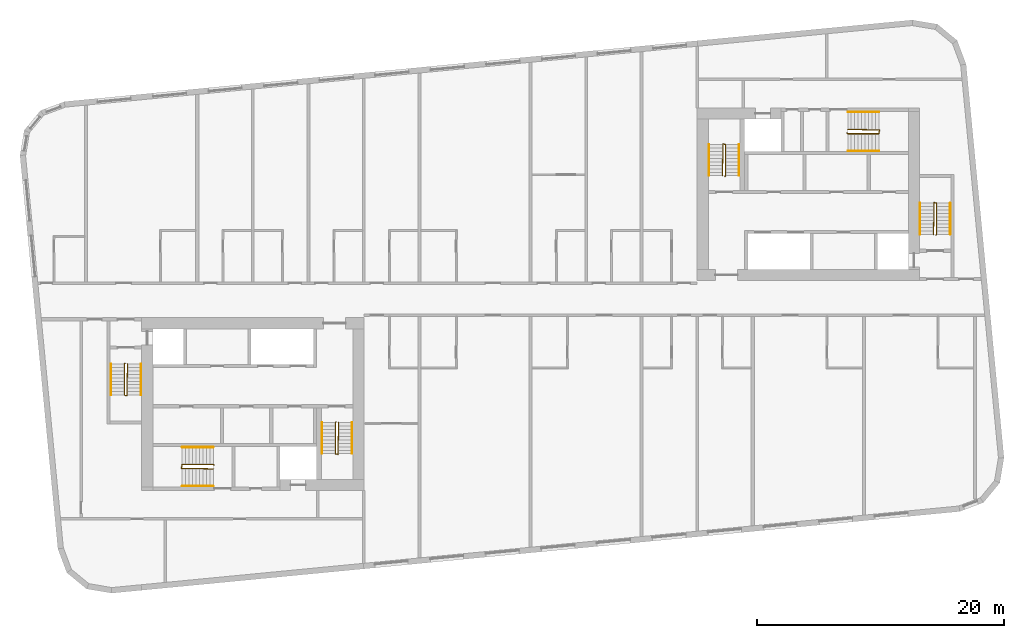
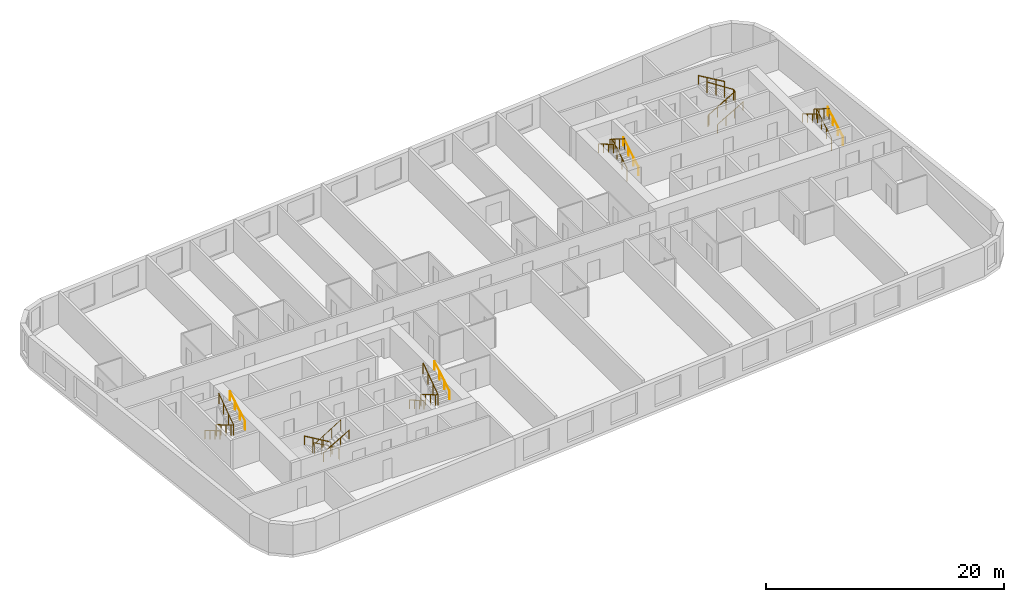
# One storey, part 11 of 11: 18 railings.
"""IFC4 building model written with IfcOpenShell, lengths in metres."""

from ifc_helpers import new_model, si_unit, direction, frame, origin, origin_2d, place, context, subcontext, project, spatial, circle, extrude, material, type_object, element, save


model = new_model("IFC4")

# Units and contexts
model_context = context("Model", 3, precision=1e-05, world=origin(), true_north=direction((0.0, 1.0)))
body_context = subcontext(model_context, "Body", "Model", "MODEL_VIEW")
ifc_project = project(units=[si_unit("LENGTHUNIT", "METRE"), si_unit("AREAUNIT", "SQUARE_METRE"), si_unit("VOLUMEUNIT", "CUBIC_METRE"), si_unit("PLANEANGLEUNIT", "RADIAN"), si_unit("MASSUNIT", "GRAM", prefix="KILO")], contexts=[model_context])

# Site, building, storey
site_placement = place(None, origin())
site = spatial("IfcSite", under=ifc_project, at=site_placement, CompositionType="ELEMENT")
building_placement = place(site_placement, origin())
building = spatial("IfcBuilding", under=site, at=building_placement, Name="Kajstack Hotel Tower", CompositionType="ELEMENT")
storey_placement = place(building_placement, frame((0.0, 0.0, 291.60009765625)))
storey = spatial("IfcBuildingStorey", under=building, at=storey_placement, Name="L73", CompositionType="ELEMENT", Elevation=291.60009765625)

# Railings
ifc_material = material(Name="Steel S355J2", Category="steel")
railing_type_1 = type_object("IfcRailingType", Name="Stair guard 1100", PredefinedType="GUARDRAIL", material=ifc_material)
railing_1_placement = place(storey_placement, frame((-32.85009765625, -5.199951171875, 0.0)))
element("IfcRailing", 1, at=railing_1_placement, inside=storey, type_object=railing_type_1, Name="L73 W1 stair guard 1", PredefinedType="GUARDRAIL", context=body_context, shape_type="SweptSolid", body=[
    extrude(circle(Radius=0.02392578125, at=origin_2d()), frame((0.0, 0.0, 1.076171875), z_axis=(-0.277797701265, -0.279159454702, 0.919183570361), x_axis=(0.708833529934, -0.705375805398, 0.0)), (0.0, 0.0, 1.0), 0.17919921875),
    extrude(circle(Radius=0.02392578125, at=origin_2d()), frame((-0.0498046875, -0.050048828125, 1.24072265625), z_axis=(0.0, -0.86152411907, 0.507716645641), x_axis=(1.0, 0.0, 0.0)), (0.0, 0.0, 1.0), 2.925048828125),
    extrude(circle(Radius=0.02392578125, at=origin_2d()), frame((-0.0498046875, -2.570068359375, 2.72607421875), z_axis=(0.970072785993, -0.242814311512, 0.0), x_axis=(0.242814311512, 0.970072785993, 0.0)), (0.0, 0.0, 1.0), 0.2060546875),
    extrude(circle(Radius=0.02392578125, at=origin_2d()), frame((0.150146484375, -2.6201171875, 2.72607421875), z_axis=(0.016385308676, 0.841405582595, 0.540155687962), x_axis=(-0.999810440751, 0.019470042781, 0.0)), (0.0, 0.0, 1.0), 3.054443359375),
    extrude(circle(Radius=0.02099609375, at=origin_2d()), origin(), (0.0, 0.0, 1.0), 1.052001953125),
    extrude(circle(Radius=0.02099609375, at=origin_2d()), frame((-0.0498046875, -0.050048828125, 0.164794921875)), (0.0, 0.0, 1.0), 1.052001953125),
    extrude(circle(Radius=0.02099609375, at=origin_2d()), frame((-0.0498046875, -0.89013671875, 0.659912109375)), (0.0, 0.0, 1.0), 1.052001953125),
    extrude(circle(Radius=0.02099609375, at=origin_2d()), frame((-0.0498046875, -1.72998046875, 1.15478515625)), (0.0, 0.0, 1.0), 1.052001953125),
    extrude(circle(Radius=0.02099609375, at=origin_2d()), frame((-0.0498046875, -2.570068359375, 1.64990234375)), (0.0, 0.0, 1.0), 1.052001953125),
    extrude(circle(Radius=0.02099609375, at=origin_2d()), frame((0.150146484375, -2.6201171875, 1.64990234375)), (0.0, 0.0, 1.0), 1.052001953125),
    extrude(circle(Radius=0.02099609375, at=origin_2d()), frame((0.166748046875, -1.763427734375, 2.199951171875)), (0.0, 0.0, 1.0), 1.052001953125),
    extrude(circle(Radius=0.02099609375, at=origin_2d()), frame((0.18359375, -0.90673828125, 2.749755859375)), (0.0, 0.0, 1.0), 1.052001953125),
    extrude(circle(Radius=0.02099609375, at=origin_2d()), frame((0.2001953125, -0.050048828125, 3.2998046875)), (0.0, 0.0, 1.0), 1.052001953125),
])
railing_2_placement = place(storey_placement, frame((-15.75, -9.949951171875, 0.0)))
element("IfcRailing", 2, at=railing_2_placement, inside=storey, type_object=railing_type_1, Name="L73 W2 stair guard 1", PredefinedType="GUARDRAIL", context=body_context, shape_type="SweptSolid", body=[
    extrude(circle(Radius=0.02392578125, at=origin_2d()), frame((0.0, 0.0, 1.076171875), z_axis=(-0.279053652268, -0.279053652268, 0.918835196492), x_axis=(0.707106781187, -0.707106781187, 0.0)), (0.0, 0.0, 1.0), 0.179443359375),
    extrude(circle(Radius=0.02392578125, at=origin_2d()), frame((-0.050048828125, -0.050048828125, 1.24072265625), z_axis=(0.0, -0.86152411907, 0.507716645641), x_axis=(1.0, 0.0, 0.0)), (0.0, 0.0, 1.0), 2.925048828125),
    extrude(circle(Radius=0.02392578125, at=origin_2d()), frame((-0.050048828125, -2.570068359375, 2.72607421875), z_axis=(0.970072785993, -0.242814311512, 0.0), x_axis=(0.242814311512, 0.970072785993, 0.0)), (0.0, 0.0, 1.0), 0.2060546875),
    extrude(circle(Radius=0.02392578125, at=origin_2d()), frame((0.14990234375, -2.6201171875, 2.72607421875), z_axis=(0.016385308676, 0.841405582595, 0.540155687962), x_axis=(-0.999810440751, 0.019470042781, 0.0)), (0.0, 0.0, 1.0), 3.054443359375),
    extrude(circle(Radius=0.02099609375, at=origin_2d()), origin(), (0.0, 0.0, 1.0), 1.052001953125),
    extrude(circle(Radius=0.02099609375, at=origin_2d()), frame((-0.050048828125, -0.050048828125, 0.164794921875)), (0.0, 0.0, 1.0), 1.052001953125),
    extrude(circle(Radius=0.02099609375, at=origin_2d()), frame((-0.050048828125, -0.89013671875, 0.659912109375)), (0.0, 0.0, 1.0), 1.052001953125),
    extrude(circle(Radius=0.02099609375, at=origin_2d()), frame((-0.050048828125, -1.72998046875, 1.15478515625)), (0.0, 0.0, 1.0), 1.052001953125),
    extrude(circle(Radius=0.02099609375, at=origin_2d()), frame((-0.050048828125, -2.570068359375, 1.64990234375)), (0.0, 0.0, 1.0), 1.052001953125),
    extrude(circle(Radius=0.02099609375, at=origin_2d()), frame((0.14990234375, -2.6201171875, 1.64990234375)), (0.0, 0.0, 1.0), 1.052001953125),
    extrude(circle(Radius=0.02099609375, at=origin_2d()), frame((0.16650390625, -1.763427734375, 2.199951171875)), (0.0, 0.0, 1.0), 1.052001953125),
    extrude(circle(Radius=0.02099609375, at=origin_2d()), frame((0.183349609375, -0.90673828125, 2.749755859375)), (0.0, 0.0, 1.0), 1.052001953125),
    extrude(circle(Radius=0.02099609375, at=origin_2d()), frame((0.199951171875, -0.050048828125, 3.2998046875)), (0.0, 0.0, 1.0), 1.052001953125),
])
railing_3_placement = place(storey_placement, frame((-25.64990234375, -13.449951171875, 0.0)))
element("IfcRailing", 3, at=railing_3_placement, inside=storey, type_object=railing_type_1, Name="L73 W3 stair guard 1", PredefinedType="GUARDRAIL", context=body_context, shape_type="SweptSolid", body=[
    extrude(circle(Radius=0.02392578125, at=origin_2d()), frame((0.0, 0.0, 1.076171875), z_axis=(-0.279053652268, 0.279053652268, 0.918835196492), x_axis=(-0.707106781187, -0.707106781187, 0.0)), (0.0, 0.0, 1.0), 0.179443359375),
    extrude(circle(Radius=0.02392578125, at=origin_2d()), frame((-0.050048828125, 0.050048828125, 1.24072265625), z_axis=(-0.86152411907, 0.0, 0.507716645641), x_axis=(0.0, -1.0, 0.0)), (0.0, 0.0, 1.0), 2.925048828125),
    extrude(circle(Radius=0.02392578125, at=origin_2d()), frame((-2.570068359375, 0.050048828125, 2.72607421875), z_axis=(-0.164529134168, -0.986372223864, 0.0), x_axis=(0.986372223864, -0.164529134168, 0.0)), (0.0, 0.0, 1.0), 0.30419921875),
    extrude(circle(Radius=0.02392578125, at=origin_2d()), frame((-2.6201171875, -0.25, 2.72607421875), z_axis=(0.841405582595, -0.016385308676, 0.540155687962), x_axis=(0.019470042781, 0.999810440751, 0.0)), (0.0, 0.0, 1.0), 3.054443359375),
    extrude(circle(Radius=0.02099609375, at=origin_2d()), origin(), (0.0, 0.0, 1.0), 1.052001953125),
    extrude(circle(Radius=0.02099609375, at=origin_2d()), frame((-0.050048828125, 0.050048828125, 0.164794921875)), (0.0, 0.0, 1.0), 1.052001953125),
    extrude(circle(Radius=0.02099609375, at=origin_2d()), frame((-0.89013671875, 0.050048828125, 0.659912109375)), (0.0, 0.0, 1.0), 1.052001953125),
    extrude(circle(Radius=0.02099609375, at=origin_2d()), frame((-1.72998046875, 0.050048828125, 1.15478515625)), (0.0, 0.0, 1.0), 1.052001953125),
    extrude(circle(Radius=0.02099609375, at=origin_2d()), frame((-2.570068359375, 0.050048828125, 1.64990234375)), (0.0, 0.0, 1.0), 1.052001953125),
    extrude(circle(Radius=0.02099609375, at=origin_2d()), frame((-2.6201171875, -0.25, 1.64990234375)), (0.0, 0.0, 1.0), 1.052001953125),
    extrude(circle(Radius=0.02099609375, at=origin_2d()), frame((-1.763427734375, -0.2666015625, 2.199951171875)), (0.0, 0.0, 1.0), 1.052001953125),
    extrude(circle(Radius=0.02099609375, at=origin_2d()), frame((-0.90673828125, -0.283447265625, 2.749755859375)), (0.0, 0.0, 1.0), 1.052001953125),
    extrude(circle(Radius=0.02099609375, at=origin_2d()), frame((-0.050048828125, -0.300048828125, 3.2998046875)), (0.0, 0.0, 1.0), 1.052001953125),
])
railing_4_placement = place(storey_placement, frame((32.85009765625, 5.199951171875, 0.0)))
element("IfcRailing", 4, at=railing_4_placement, inside=storey, type_object=railing_type_1, Name="L73 E1 stair guard 1", PredefinedType="GUARDRAIL", context=body_context, shape_type="SweptSolid", body=[
    extrude(circle(Radius=0.02392578125, at=origin_2d()), frame((0.0, 0.0, 1.076171875), z_axis=(0.277797701265, 0.279159454702, 0.919183570361), x_axis=(-0.708833529934, 0.705375805398, 0.0)), (0.0, 0.0, 1.0), 0.17919921875),
    extrude(circle(Radius=0.02392578125, at=origin_2d()), frame((0.0498046875, 0.050048828125, 1.24072265625), z_axis=(0.0, 0.86152411907, 0.507716645641), x_axis=(-1.0, 0.0, 0.0)), (0.0, 0.0, 1.0), 2.925048828125),
    extrude(circle(Radius=0.02392578125, at=origin_2d()), frame((0.0498046875, 2.570068359375, 2.72607421875), z_axis=(-0.970072785993, 0.242814311512, 0.0), x_axis=(-0.242814311512, -0.970072785993, 0.0)), (0.0, 0.0, 1.0), 0.2060546875),
    extrude(circle(Radius=0.02392578125, at=origin_2d()), frame((-0.150146484375, 2.6201171875, 2.72607421875), z_axis=(-0.016385308676, -0.841405582595, 0.540155687962), x_axis=(0.999810440751, -0.019470042781, 0.0)), (0.0, 0.0, 1.0), 3.054443359375),
    extrude(circle(Radius=0.02099609375, at=origin_2d()), origin(), (0.0, 0.0, 1.0), 1.052001953125),
    extrude(circle(Radius=0.02099609375, at=origin_2d()), frame((0.0498046875, 0.050048828125, 0.164794921875)), (0.0, 0.0, 1.0), 1.052001953125),
    extrude(circle(Radius=0.02099609375, at=origin_2d()), frame((0.0498046875, 0.89013671875, 0.659912109375)), (0.0, 0.0, 1.0), 1.052001953125),
    extrude(circle(Radius=0.02099609375, at=origin_2d()), frame((0.0498046875, 1.72998046875, 1.15478515625)), (0.0, 0.0, 1.0), 1.052001953125),
    extrude(circle(Radius=0.02099609375, at=origin_2d()), frame((0.0498046875, 2.570068359375, 1.64990234375)), (0.0, 0.0, 1.0), 1.052001953125),
    extrude(circle(Radius=0.02099609375, at=origin_2d()), frame((-0.150146484375, 2.6201171875, 1.64990234375)), (0.0, 0.0, 1.0), 1.052001953125),
    extrude(circle(Radius=0.02099609375, at=origin_2d()), frame((-0.166748046875, 1.763427734375, 2.199951171875)), (0.0, 0.0, 1.0), 1.052001953125),
    extrude(circle(Radius=0.02099609375, at=origin_2d()), frame((-0.18359375, 0.90673828125, 2.749755859375)), (0.0, 0.0, 1.0), 1.052001953125),
    extrude(circle(Radius=0.02099609375, at=origin_2d()), frame((-0.2001953125, 0.050048828125, 3.2998046875)), (0.0, 0.0, 1.0), 1.052001953125),
])
railing_5_placement = place(storey_placement, frame((15.75, 9.949951171875, 0.0)))
element("IfcRailing", 5, at=railing_5_placement, inside=storey, type_object=railing_type_1, Name="L73 E2 stair guard 1", PredefinedType="GUARDRAIL", context=body_context, shape_type="SweptSolid", body=[
    extrude(circle(Radius=0.02392578125, at=origin_2d()), frame((0.0, 0.0, 1.076171875), z_axis=(0.279053652268, 0.279053652268, 0.918835196492), x_axis=(-0.707106781187, 0.707106781187, 0.0)), (0.0, 0.0, 1.0), 0.179443359375),
    extrude(circle(Radius=0.02392578125, at=origin_2d()), frame((0.050048828125, 0.050048828125, 1.24072265625), z_axis=(0.0, 0.86152411907, 0.507716645641), x_axis=(-1.0, 0.0, 0.0)), (0.0, 0.0, 1.0), 2.925048828125),
    extrude(circle(Radius=0.02392578125, at=origin_2d()), frame((0.050048828125, 2.570068359375, 2.72607421875), z_axis=(-0.970072785993, 0.242814311512, 0.0), x_axis=(-0.242814311512, -0.970072785993, 0.0)), (0.0, 0.0, 1.0), 0.2060546875),
    extrude(circle(Radius=0.02392578125, at=origin_2d()), frame((-0.14990234375, 2.6201171875, 2.72607421875), z_axis=(-0.016385308676, -0.841405582595, 0.540155687962), x_axis=(0.999810440751, -0.019470042781, 0.0)), (0.0, 0.0, 1.0), 3.054443359375),
    extrude(circle(Radius=0.02099609375, at=origin_2d()), origin(), (0.0, 0.0, 1.0), 1.052001953125),
    extrude(circle(Radius=0.02099609375, at=origin_2d()), frame((0.050048828125, 0.050048828125, 0.164794921875)), (0.0, 0.0, 1.0), 1.052001953125),
    extrude(circle(Radius=0.02099609375, at=origin_2d()), frame((0.050048828125, 0.89013671875, 0.659912109375)), (0.0, 0.0, 1.0), 1.052001953125),
    extrude(circle(Radius=0.02099609375, at=origin_2d()), frame((0.050048828125, 1.72998046875, 1.15478515625)), (0.0, 0.0, 1.0), 1.052001953125),
    extrude(circle(Radius=0.02099609375, at=origin_2d()), frame((0.050048828125, 2.570068359375, 1.64990234375)), (0.0, 0.0, 1.0), 1.052001953125),
    extrude(circle(Radius=0.02099609375, at=origin_2d()), frame((-0.14990234375, 2.6201171875, 1.64990234375)), (0.0, 0.0, 1.0), 1.052001953125),
    extrude(circle(Radius=0.02099609375, at=origin_2d()), frame((-0.16650390625, 1.763427734375, 2.199951171875)), (0.0, 0.0, 1.0), 1.052001953125),
    extrude(circle(Radius=0.02099609375, at=origin_2d()), frame((-0.183349609375, 0.90673828125, 2.749755859375)), (0.0, 0.0, 1.0), 1.052001953125),
    extrude(circle(Radius=0.02099609375, at=origin_2d()), frame((-0.199951171875, 0.050048828125, 3.2998046875)), (0.0, 0.0, 1.0), 1.052001953125),
])
railing_6_placement = place(storey_placement, frame((25.64990234375, 13.449951171875, 0.0)))
element("IfcRailing", 6, at=railing_6_placement, inside=storey, type_object=railing_type_1, Name="L73 E3 stair guard 1", PredefinedType="GUARDRAIL", context=body_context, shape_type="SweptSolid", body=[
    extrude(circle(Radius=0.02392578125, at=origin_2d()), frame((0.0, 0.0, 1.076171875), z_axis=(0.279053652268, -0.279053652268, 0.918835196492), x_axis=(0.707106781187, 0.707106781187, 0.0)), (0.0, 0.0, 1.0), 0.179443359375),
    extrude(circle(Radius=0.02392578125, at=origin_2d()), frame((0.050048828125, -0.050048828125, 1.24072265625), z_axis=(0.86152411907, 0.0, 0.507716645641), x_axis=(0.0, 1.0, 0.0)), (0.0, 0.0, 1.0), 2.925048828125),
    extrude(circle(Radius=0.02392578125, at=origin_2d()), frame((2.570068359375, -0.050048828125, 2.72607421875), z_axis=(0.164529134168, 0.986372223864, 0.0), x_axis=(-0.986372223864, 0.164529134168, 0.0)), (0.0, 0.0, 1.0), 0.30419921875),
    extrude(circle(Radius=0.02392578125, at=origin_2d()), frame((2.6201171875, 0.25, 2.72607421875), z_axis=(-0.841405582595, 0.016385308676, 0.540155687962), x_axis=(-0.019470042781, -0.999810440751, 0.0)), (0.0, 0.0, 1.0), 3.054443359375),
    extrude(circle(Radius=0.02099609375, at=origin_2d()), origin(), (0.0, 0.0, 1.0), 1.052001953125),
    extrude(circle(Radius=0.02099609375, at=origin_2d()), frame((0.050048828125, -0.050048828125, 0.164794921875)), (0.0, 0.0, 1.0), 1.052001953125),
    extrude(circle(Radius=0.02099609375, at=origin_2d()), frame((0.89013671875, -0.050048828125, 0.659912109375)), (0.0, 0.0, 1.0), 1.052001953125),
    extrude(circle(Radius=0.02099609375, at=origin_2d()), frame((1.72998046875, -0.050048828125, 1.15478515625)), (0.0, 0.0, 1.0), 1.052001953125),
    extrude(circle(Radius=0.02099609375, at=origin_2d()), frame((2.570068359375, -0.050048828125, 1.64990234375)), (0.0, 0.0, 1.0), 1.052001953125),
    extrude(circle(Radius=0.02099609375, at=origin_2d()), frame((2.6201171875, 0.25, 1.64990234375)), (0.0, 0.0, 1.0), 1.052001953125),
    extrude(circle(Radius=0.02099609375, at=origin_2d()), frame((1.763427734375, 0.2666015625, 2.199951171875)), (0.0, 0.0, 1.0), 1.052001953125),
    extrude(circle(Radius=0.02099609375, at=origin_2d()), frame((0.90673828125, 0.283447265625, 2.749755859375)), (0.0, 0.0, 1.0), 1.052001953125),
    extrude(circle(Radius=0.02099609375, at=origin_2d()), frame((0.050048828125, 0.300048828125, 3.2998046875)), (0.0, 0.0, 1.0), 1.052001953125),
])
railing_type_2 = type_object("IfcRailingType", Name="Stair handrail 900", PredefinedType="HANDRAIL", material=ifc_material)
railing_7_placement = place(storey_placement, frame((-34.0, -5.25, 0.164794921875)))
element("IfcRailing", 7, at=railing_7_placement, inside=storey, type_object=railing_type_2, Name="L73 W1 stair handrail 1", PredefinedType="HANDRAIL", context=body_context, shape_type="SweptSolid", body=[
    extrude(circle(Radius=0.02392578125, at=origin_2d()), frame((0.0, 0.0, 0.8759765625), z_axis=(0.0, -0.86152411907, 0.507716645641), x_axis=(1.0, 0.0, 0.0)), (0.0, 0.0, 1.0), 2.925048828125),
    extrude(circle(Radius=0.02099609375, at=origin_2d()), origin(), (0.0, 0.0, 1.0), 0.851806640625),
    extrude(circle(Radius=0.02099609375, at=origin_2d()), frame((0.0, -0.840087890625, 0.4951171875)), (0.0, 0.0, 1.0), 0.851806640625),
    extrude(circle(Radius=0.02099609375, at=origin_2d()), frame((0.0, -1.679931640625, 0.989990234375)), (0.0, 0.0, 1.0), 0.851806640625),
    extrude(circle(Radius=0.02099609375, at=origin_2d()), frame((0.0, -2.52001953125, 1.485107421875)), (0.0, 0.0, 1.0), 0.851806640625),
])
railing_8_placement = place(storey_placement, frame((-31.550048828125, -7.77001953125, 1.81494140625)))
element("IfcRailing", 8, at=railing_8_placement, inside=storey, type_object=railing_type_2, Name="L73 W1 stair handrail 2", PredefinedType="HANDRAIL", context=body_context, shape_type="SweptSolid", body=[
    extrude(circle(Radius=0.02392578125, at=origin_2d()), frame((0.0, 0.0, 0.8759765625), z_axis=(0.0, 0.861560626758, 0.507654692109), x_axis=(-1.0, 0.0, 0.0)), (0.0, 0.0, 1.0), 2.925048828125),
    extrude(circle(Radius=0.02099609375, at=origin_2d()), origin(), (0.0, 0.0, 1.0), 0.851806640625),
    extrude(circle(Radius=0.02099609375, at=origin_2d()), frame((0.0, 0.840087890625, 0.494873046875)), (0.0, 0.0, 1.0), 0.851806640625),
    extrude(circle(Radius=0.02099609375, at=origin_2d()), frame((0.0, 1.679931640625, 0.989990234375)), (0.0, 0.0, 1.0), 0.851806640625),
    extrude(circle(Radius=0.02099609375, at=origin_2d()), frame((0.0, 2.52001953125, 1.48486328125)), (0.0, 0.0, 1.0), 0.851806640625),
])
railing_9_placement = place(storey_placement, frame((-16.89990234375, -10.0, 0.164794921875)))
element("IfcRailing", 9, at=railing_9_placement, inside=storey, type_object=railing_type_2, Name="L73 W2 stair handrail 1", PredefinedType="HANDRAIL", context=body_context, shape_type="SweptSolid", body=[
    extrude(circle(Radius=0.02392578125, at=origin_2d()), frame((0.0, 0.0, 0.8759765625), z_axis=(0.0, -0.86152411907, 0.507716645641), x_axis=(1.0, 0.0, 0.0)), (0.0, 0.0, 1.0), 2.925048828125),
    extrude(circle(Radius=0.02099609375, at=origin_2d()), origin(), (0.0, 0.0, 1.0), 0.851806640625),
    extrude(circle(Radius=0.02099609375, at=origin_2d()), frame((0.0, -0.840087890625, 0.4951171875)), (0.0, 0.0, 1.0), 0.851806640625),
    extrude(circle(Radius=0.02099609375, at=origin_2d()), frame((0.0, -1.679931640625, 0.989990234375)), (0.0, 0.0, 1.0), 0.851806640625),
    extrude(circle(Radius=0.02099609375, at=origin_2d()), frame((0.0, -2.52001953125, 1.485107421875)), (0.0, 0.0, 1.0), 0.851806640625),
])
railing_10_placement = place(storey_placement, frame((-14.449951171875, -12.52001953125, 1.81494140625)))
element("IfcRailing", 10, at=railing_10_placement, inside=storey, type_object=railing_type_2, Name="L73 W2 stair handrail 2", PredefinedType="HANDRAIL", context=body_context, shape_type="SweptSolid", body=[
    extrude(circle(Radius=0.02392578125, at=origin_2d()), frame((0.0, 0.0, 0.8759765625), z_axis=(0.0, 0.861560626758, 0.507654692109), x_axis=(-1.0, 0.0, 0.0)), (0.0, 0.0, 1.0), 2.925048828125),
    extrude(circle(Radius=0.02099609375, at=origin_2d()), origin(), (0.0, 0.0, 1.0), 0.851806640625),
    extrude(circle(Radius=0.02099609375, at=origin_2d()), frame((0.0, 0.840087890625, 0.494873046875)), (0.0, 0.0, 1.0), 0.851806640625),
    extrude(circle(Radius=0.02099609375, at=origin_2d()), frame((0.0, 1.679931640625, 0.989990234375)), (0.0, 0.0, 1.0), 0.851806640625),
    extrude(circle(Radius=0.02099609375, at=origin_2d()), frame((0.0, 2.52001953125, 1.48486328125)), (0.0, 0.0, 1.0), 0.851806640625),
])
railing_11_placement = place(storey_placement, frame((-25.699951171875, -12.0, 0.164794921875)))
element("IfcRailing", 11, at=railing_11_placement, inside=storey, type_object=railing_type_2, Name="L73 W3 stair handrail 1", PredefinedType="HANDRAIL", context=body_context, shape_type="SweptSolid", body=[
    extrude(circle(Radius=0.02392578125, at=origin_2d()), frame((0.0, 0.0, 0.8759765625), z_axis=(-0.86152411907, 0.0, 0.507716645641), x_axis=(0.0, -1.0, 0.0)), (0.0, 0.0, 1.0), 2.925048828125),
    extrude(circle(Radius=0.02099609375, at=origin_2d()), origin(), (0.0, 0.0, 1.0), 0.851806640625),
    extrude(circle(Radius=0.02099609375, at=origin_2d()), frame((-0.840087890625, 0.0, 0.4951171875)), (0.0, 0.0, 1.0), 0.851806640625),
    extrude(circle(Radius=0.02099609375, at=origin_2d()), frame((-1.679931640625, 0.0, 0.989990234375)), (0.0, 0.0, 1.0), 0.851806640625),
    extrude(circle(Radius=0.02099609375, at=origin_2d()), frame((-2.52001953125, 0.0, 1.485107421875)), (0.0, 0.0, 1.0), 0.851806640625),
])
railing_12_placement = place(storey_placement, frame((-28.219970703125, -15.14990234375, 1.81494140625)))
element("IfcRailing", 12, at=railing_12_placement, inside=storey, type_object=railing_type_2, Name="L73 W3 stair handrail 2", PredefinedType="HANDRAIL", context=body_context, shape_type="SweptSolid", body=[
    extrude(circle(Radius=0.02392578125, at=origin_2d()), frame((0.0, 0.0, 0.8759765625), z_axis=(0.861560626758, 0.0, 0.507654692109), x_axis=(0.0, 1.0, 0.0)), (0.0, 0.0, 1.0), 2.925048828125),
    extrude(circle(Radius=0.02099609375, at=origin_2d()), origin(), (0.0, 0.0, 1.0), 0.851806640625),
    extrude(circle(Radius=0.02099609375, at=origin_2d()), frame((0.840087890625, 0.0, 0.494873046875)), (0.0, 0.0, 1.0), 0.851806640625),
    extrude(circle(Radius=0.02099609375, at=origin_2d()), frame((1.679931640625, 0.0, 0.989990234375)), (0.0, 0.0, 1.0), 0.851806640625),
    extrude(circle(Radius=0.02099609375, at=origin_2d()), frame((2.52001953125, 0.0, 1.48486328125)), (0.0, 0.0, 1.0), 0.851806640625),
])
railing_13_placement = place(storey_placement, frame((34.0, 5.25, 0.164794921875)))
element("IfcRailing", 13, at=railing_13_placement, inside=storey, type_object=railing_type_2, Name="L73 E1 stair handrail 1", PredefinedType="HANDRAIL", context=body_context, shape_type="SweptSolid", body=[
    extrude(circle(Radius=0.02392578125, at=origin_2d()), frame((0.0, 0.0, 0.8759765625), z_axis=(0.0, 0.86152411907, 0.507716645641), x_axis=(-1.0, 0.0, 0.0)), (0.0, 0.0, 1.0), 2.925048828125),
    extrude(circle(Radius=0.02099609375, at=origin_2d()), origin(), (0.0, 0.0, 1.0), 0.851806640625),
    extrude(circle(Radius=0.02099609375, at=origin_2d()), frame((0.0, 0.840087890625, 0.4951171875)), (0.0, 0.0, 1.0), 0.851806640625),
    extrude(circle(Radius=0.02099609375, at=origin_2d()), frame((0.0, 1.679931640625, 0.989990234375)), (0.0, 0.0, 1.0), 0.851806640625),
    extrude(circle(Radius=0.02099609375, at=origin_2d()), frame((0.0, 2.52001953125, 1.485107421875)), (0.0, 0.0, 1.0), 0.851806640625),
])
railing_14_placement = place(storey_placement, frame((31.550048828125, 7.77001953125, 1.81494140625)))
element("IfcRailing", 14, at=railing_14_placement, inside=storey, type_object=railing_type_2, Name="L73 E1 stair handrail 2", PredefinedType="HANDRAIL", context=body_context, shape_type="SweptSolid", body=[
    extrude(circle(Radius=0.02392578125, at=origin_2d()), frame((0.0, 0.0, 0.8759765625), z_axis=(0.0, -0.861560626758, 0.507654692109), x_axis=(1.0, 0.0, 0.0)), (0.0, 0.0, 1.0), 2.925048828125),
    extrude(circle(Radius=0.02099609375, at=origin_2d()), origin(), (0.0, 0.0, 1.0), 0.851806640625),
    extrude(circle(Radius=0.02099609375, at=origin_2d()), frame((0.0, -0.840087890625, 0.494873046875)), (0.0, 0.0, 1.0), 0.851806640625),
    extrude(circle(Radius=0.02099609375, at=origin_2d()), frame((0.0, -1.679931640625, 0.989990234375)), (0.0, 0.0, 1.0), 0.851806640625),
    extrude(circle(Radius=0.02099609375, at=origin_2d()), frame((0.0, -2.52001953125, 1.48486328125)), (0.0, 0.0, 1.0), 0.851806640625),
])
railing_15_placement = place(storey_placement, frame((16.89990234375, 10.0, 0.164794921875)))
element("IfcRailing", 15, at=railing_15_placement, inside=storey, type_object=railing_type_2, Name="L73 E2 stair handrail 1", PredefinedType="HANDRAIL", context=body_context, shape_type="SweptSolid", body=[
    extrude(circle(Radius=0.02392578125, at=origin_2d()), frame((0.0, 0.0, 0.8759765625), z_axis=(0.0, 0.86152411907, 0.507716645641), x_axis=(-1.0, 0.0, 0.0)), (0.0, 0.0, 1.0), 2.925048828125),
    extrude(circle(Radius=0.02099609375, at=origin_2d()), origin(), (0.0, 0.0, 1.0), 0.851806640625),
    extrude(circle(Radius=0.02099609375, at=origin_2d()), frame((0.0, 0.840087890625, 0.4951171875)), (0.0, 0.0, 1.0), 0.851806640625),
    extrude(circle(Radius=0.02099609375, at=origin_2d()), frame((0.0, 1.679931640625, 0.989990234375)), (0.0, 0.0, 1.0), 0.851806640625),
    extrude(circle(Radius=0.02099609375, at=origin_2d()), frame((0.0, 2.52001953125, 1.485107421875)), (0.0, 0.0, 1.0), 0.851806640625),
])
railing_16_placement = place(storey_placement, frame((14.449951171875, 12.52001953125, 1.81494140625)))
element("IfcRailing", 16, at=railing_16_placement, inside=storey, type_object=railing_type_2, Name="L73 E2 stair handrail 2", PredefinedType="HANDRAIL", context=body_context, shape_type="SweptSolid", body=[
    extrude(circle(Radius=0.02392578125, at=origin_2d()), frame((0.0, 0.0, 0.8759765625), z_axis=(0.0, -0.861560626758, 0.507654692109), x_axis=(1.0, 0.0, 0.0)), (0.0, 0.0, 1.0), 2.925048828125),
    extrude(circle(Radius=0.02099609375, at=origin_2d()), origin(), (0.0, 0.0, 1.0), 0.851806640625),
    extrude(circle(Radius=0.02099609375, at=origin_2d()), frame((0.0, -0.840087890625, 0.494873046875)), (0.0, 0.0, 1.0), 0.851806640625),
    extrude(circle(Radius=0.02099609375, at=origin_2d()), frame((0.0, -1.679931640625, 0.989990234375)), (0.0, 0.0, 1.0), 0.851806640625),
    extrude(circle(Radius=0.02099609375, at=origin_2d()), frame((0.0, -2.52001953125, 1.48486328125)), (0.0, 0.0, 1.0), 0.851806640625),
])
railing_17_placement = place(storey_placement, frame((25.699951171875, 12.0, 0.164794921875)))
element("IfcRailing", 17, at=railing_17_placement, inside=storey, type_object=railing_type_2, Name="L73 E3 stair handrail 1", PredefinedType="HANDRAIL", context=body_context, shape_type="SweptSolid", body=[
    extrude(circle(Radius=0.02392578125, at=origin_2d()), frame((0.0, 0.0, 0.8759765625), z_axis=(0.86152411907, 0.0, 0.507716645641), x_axis=(0.0, 1.0, 0.0)), (0.0, 0.0, 1.0), 2.925048828125),
    extrude(circle(Radius=0.02099609375, at=origin_2d()), origin(), (0.0, 0.0, 1.0), 0.851806640625),
    extrude(circle(Radius=0.02099609375, at=origin_2d()), frame((0.840087890625, 0.0, 0.4951171875)), (0.0, 0.0, 1.0), 0.851806640625),
    extrude(circle(Radius=0.02099609375, at=origin_2d()), frame((1.679931640625, 0.0, 0.989990234375)), (0.0, 0.0, 1.0), 0.851806640625),
    extrude(circle(Radius=0.02099609375, at=origin_2d()), frame((2.52001953125, 0.0, 1.485107421875)), (0.0, 0.0, 1.0), 0.851806640625),
])
railing_18_placement = place(storey_placement, frame((28.219970703125, 15.14990234375, 1.81494140625)))
element("IfcRailing", 18, at=railing_18_placement, inside=storey, type_object=railing_type_2, Name="L73 E3 stair handrail 2", PredefinedType="HANDRAIL", context=body_context, shape_type="SweptSolid", body=[
    extrude(circle(Radius=0.02392578125, at=origin_2d()), frame((0.0, 0.0, 0.8759765625), z_axis=(-0.861560626758, 0.0, 0.507654692109), x_axis=(0.0, -1.0, 0.0)), (0.0, 0.0, 1.0), 2.925048828125),
    extrude(circle(Radius=0.02099609375, at=origin_2d()), origin(), (0.0, 0.0, 1.0), 0.851806640625),
    extrude(circle(Radius=0.02099609375, at=origin_2d()), frame((-0.840087890625, 0.0, 0.494873046875)), (0.0, 0.0, 1.0), 0.851806640625),
    extrude(circle(Radius=0.02099609375, at=origin_2d()), frame((-1.679931640625, 0.0, 0.989990234375)), (0.0, 0.0, 1.0), 0.851806640625),
    extrude(circle(Radius=0.02099609375, at=origin_2d()), frame((-2.52001953125, 0.0, 1.48486328125)), (0.0, 0.0, 1.0), 0.851806640625),
])

save(model, "model.ifc")
